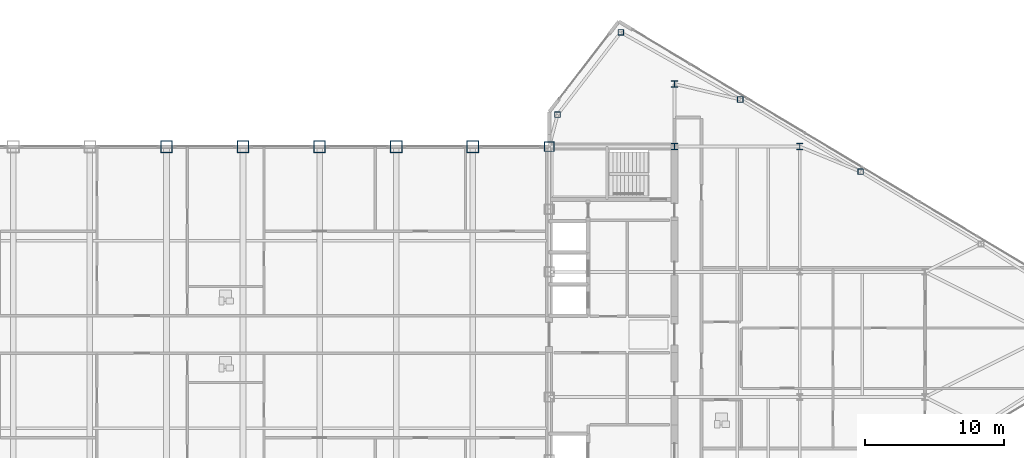
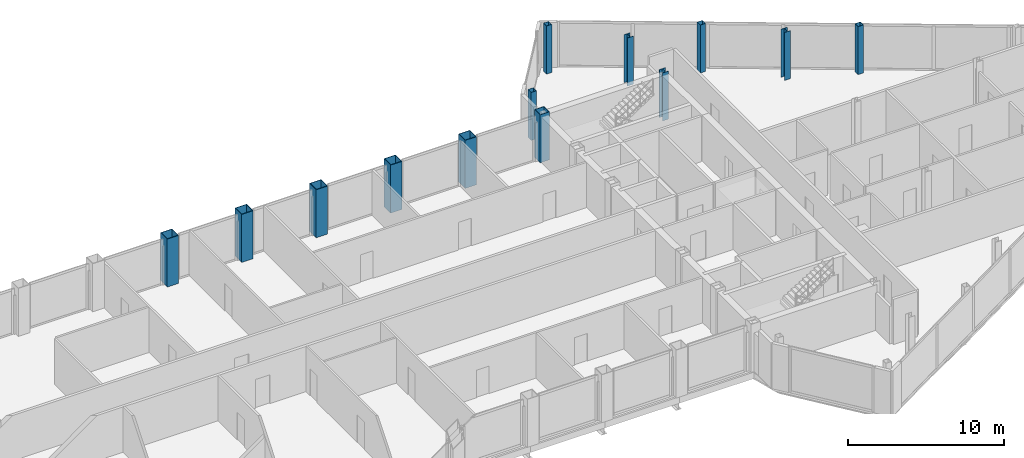
# One storey, part 6 of 29: 13 columns.
"""IFC4 building model written with IfcOpenShell, lengths in metres."""

from ifc_helpers import new_model, si_unit, direction, frame, origin, origin_2d, place, context, subcontext, project, spatial, hollow_rectangle, i_section, extrude, source, transform, mapped, material, material_profile, profile_set, type_object, type_shapes, element, save


model = new_model("IFC4")

# Units and contexts
model_context = context("Model", 3, precision=1e-05, world=origin(), true_north=direction((0.0, 1.0)))
body_context = subcontext(model_context, "Body", "Model", "MODEL_VIEW")
ifc_project = project(units=[si_unit("LENGTHUNIT", "METRE"), si_unit("AREAUNIT", "SQUARE_METRE"), si_unit("VOLUMEUNIT", "CUBIC_METRE"), si_unit("PLANEANGLEUNIT", "RADIAN"), si_unit("MASSUNIT", "GRAM", prefix="KILO")], contexts=[model_context])

# Site, building, storey
site_placement = place(None, origin())
site = spatial("IfcSite", under=ifc_project, at=site_placement, CompositionType="ELEMENT")
building_placement = place(site_placement, origin())
building = spatial("IfcBuilding", under=site, at=building_placement, Name="Seokmaru Belvedere", CompositionType="ELEMENT")
storey_placement = place(building_placement, frame((0.0, 0.0, 246.89990234375)))
storey = spatial("IfcBuildingStorey", under=building, at=storey_placement, Name="L65", CompositionType="ELEMENT", Elevation=246.89990234375)

# Columns
ifc_material_1 = material(Name="Steel SM355 (355 MPa)", Category="steel")
ifc_material_profile_1 = material_profile(ifc_material_1, hollow_rectangle(XDim=0.699951171875, YDim=0.699951171875, WallThickness=0.030029296875, at=origin_2d()), Name="BOX-700x700x30")
ifc_profile_set_1 = profile_set([ifc_material_profile_1], Name="Steel SM355 (355 MPa)")
column_type_1 = type_object("IfcColumnType", Name="Upper Spine Column BOX-700", PredefinedType="COLUMN", material=ifc_profile_set_1)
shared_shape_1 = source(origin(), body_context, "Body", "SweptSolid", [
    extrude(hollow_rectangle(XDim=0.699951171875, YDim=0.699951171875, WallThickness=0.030029296875, at=origin_2d()), origin(), (0.0, 0.0, 1.0), 3.75),
])
type_shapes(column_type_1, [shared_shape_1])
column_placement = place(storey_placement, frame((27.5, 13.5, 0.0), z_axis=(0.0, 0.0, 1.0), x_axis=(1.0, 0.0, 0.0)))
element("IfcColumn", 1, at=column_placement, inside=storey, type_object=column_type_1, Name="L65 Column ES6", PredefinedType="COLUMN", context=body_context, shape_type="MappedRepresentation", body=[
    mapped(shared_shape_1, transform((0.0, 0.0, 0.0), scale=1.0)),
])
ifc_material_profile_2 = material_profile(ifc_material_1, i_section(OverallWidth=0.449951171875, OverallDepth=0.449951171875, WebThickness=0.01611328125, FlangeThickness=0.02490234375, at=origin_2d()), Name="H-450x450x16x25")
ifc_profile_set_2 = profile_set([ifc_material_profile_2], Name="Steel SM355 (355 MPa)")
column_type_2 = type_object("IfcColumnType", Name="Sky-Gate Column H-450", PredefinedType="COLUMN", material=ifc_profile_set_2)
shared_shape_2 = source(origin(), body_context, "Body", "SweptSolid", [
    extrude(i_section(OverallWidth=0.449951171875, OverallDepth=0.449951171875, WebThickness=0.01611328125, FlangeThickness=0.02490234375, at=origin_2d()), origin(), (0.0, 0.0, 1.0), 3.75),
])
type_shapes(column_type_2, [shared_shape_2])
for number, where, z_axis, x_axis, name in (
    (2, (36.5, 13.5, 0.0), (0.0, 0.0, 1.0), (1.0, 0.0, 0.0), "L65 Column EC3"),
    (3, (36.5, 18.0, 0.0), (0.0, 0.0, 1.0), (1.0, 0.0, 0.0), "L65 Column EC4"),
    (4, (45.5, 13.5, 0.0), (0.0, 0.0, 1.0), (1.0, 0.0, 0.0), "L65 Column EG5_4"),
):
    element("IfcColumn", number, at=place(storey_placement, frame(where, z_axis=z_axis, x_axis=x_axis)), inside=storey, type_object=column_type_2, Name=name, PredefinedType="COLUMN", context=body_context, shape_type="MappedRepresentation", body=[
        mapped(shared_shape_2, transform((0.0, 0.0, 0.0), scale=1.0)),
    ])
ifc_material_profile_3 = material_profile(ifc_material_1, hollow_rectangle(XDim=0.39990234375, YDim=0.39990234375, WallThickness=0.01611328125, at=origin_2d()), Name="HSS-400x400x16")
ifc_profile_set_3 = profile_set([ifc_material_profile_3], Name="Steel SM355 (355 MPa)")
column_type_3 = type_object("IfcColumnType", Name="Perimeter Facet Column HSS-400", PredefinedType="COLUMN", material=ifc_profile_set_3)
shared_shape_3 = source(origin(), body_context, "Body", "SweptSolid", [
    extrude(hollow_rectangle(XDim=0.39990234375, YDim=0.39990234375, WallThickness=0.01611328125, at=origin_2d()), origin(), (0.0, 0.0, 1.0), 3.75),
])
type_shapes(column_type_3, [shared_shape_3])
for number, where, z_axis, x_axis, name in (
    (5, (32.649658203125, 21.71044921875, 0.0), (0.0, 0.0, 1.0), (1.0, 0.0, 0.0), "L65 Column EF4"),
    (6, (28.10009765625, 15.7958984375, 0.0), (0.0, 0.0, 1.0), (1.0, 0.0, 0.0), "L65 Column EF5"),
    (7, (41.229736328125, 16.888916015625, 0.0), (0.0, 0.0, 1.0), (1.0, 0.0, 0.0), "L65 Column EFLK_N1"),
    (8, (49.8798828125, 11.698974609375, 0.0), (0.0, 0.0, 1.0), (1.0, 0.0, 0.0), "L65 Column EFLK_N2"),
):
    element("IfcColumn", number, at=place(storey_placement, frame(where, z_axis=z_axis, x_axis=x_axis)), inside=storey, type_object=column_type_3, Name=name, PredefinedType="COLUMN", context=body_context, shape_type="MappedRepresentation", body=[
        mapped(shared_shape_3, transform((0.0, 0.0, 0.0), scale=1.0)),
    ])
ifc_material_2 = material(Name="Steel HSA650 (650 MPa)", Category="steel")
ifc_material_profile_4 = material_profile(ifc_material_2, hollow_rectangle(XDim=0.85009765625, YDim=0.85009765625, WallThickness=0.035888671875, at=origin_2d()), Name="BOX-850x850x36")
ifc_profile_set_4 = profile_set([ifc_material_profile_4], Name="Steel HSA650 (650 MPa)")
column_type_4 = type_object("IfcColumnType", Name="Portal Spine Column BOX-850", PredefinedType="COLUMN", material=ifc_profile_set_4)
shared_shape_4 = source(origin(), body_context, "Body", "SweptSolid", [
    extrude(hollow_rectangle(XDim=0.85009765625, YDim=0.85009765625, WallThickness=0.035888671875, at=origin_2d()), origin(), (0.0, 0.0, 1.0), 3.75),
])
type_shapes(column_type_4, [shared_shape_4])
for number, where, z_axis, x_axis, name in (
    (9, (0.0, 13.5, 0.0), (0.0, 0.0, 1.0), (1.0, 0.0, 0.0), "L65 Column BRN_5"),
    (10, (5.5, 13.5, 0.0), (0.0, 0.0, 1.0), (1.0, 0.0, 0.0), "L65 Column BRN_6"),
    (11, (11.0, 13.5, 0.0), (0.0, 0.0, 1.0), (1.0, 0.0, 0.0), "L65 Column BRN_7"),
    (12, (16.5, 13.5, 0.0), (0.0, 0.0, 1.0), (1.0, 0.0, 0.0), "L65 Column BRN_8"),
    (13, (22.0, 13.5, 0.0), (0.0, 0.0, 1.0), (1.0, 0.0, 0.0), "L65 Column BRN_9"),
):
    element("IfcColumn", number, at=place(storey_placement, frame(where, z_axis=z_axis, x_axis=x_axis)), inside=storey, type_object=column_type_4, Name=name, PredefinedType="COLUMN", context=body_context, shape_type="MappedRepresentation", body=[
        mapped(shared_shape_4, transform((0.0, 0.0, 0.0), scale=1.0)),
    ])

save(model, "model.ifc")
